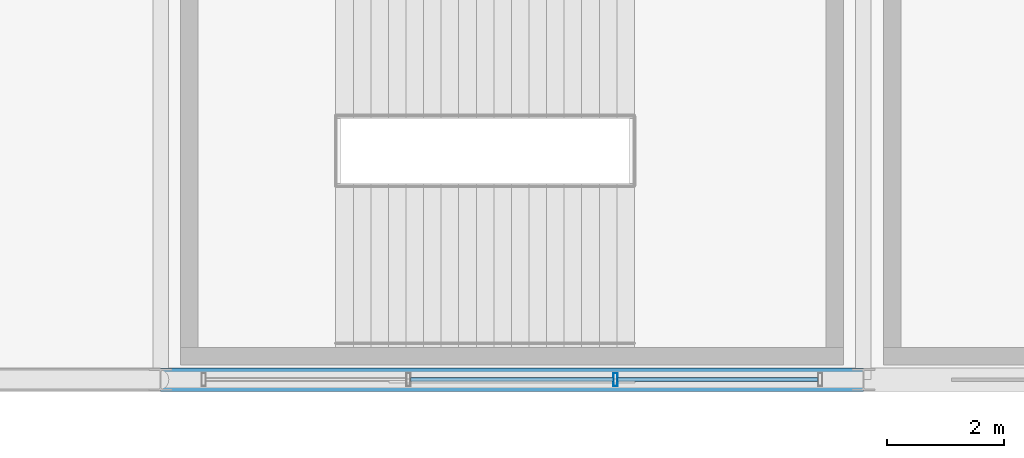
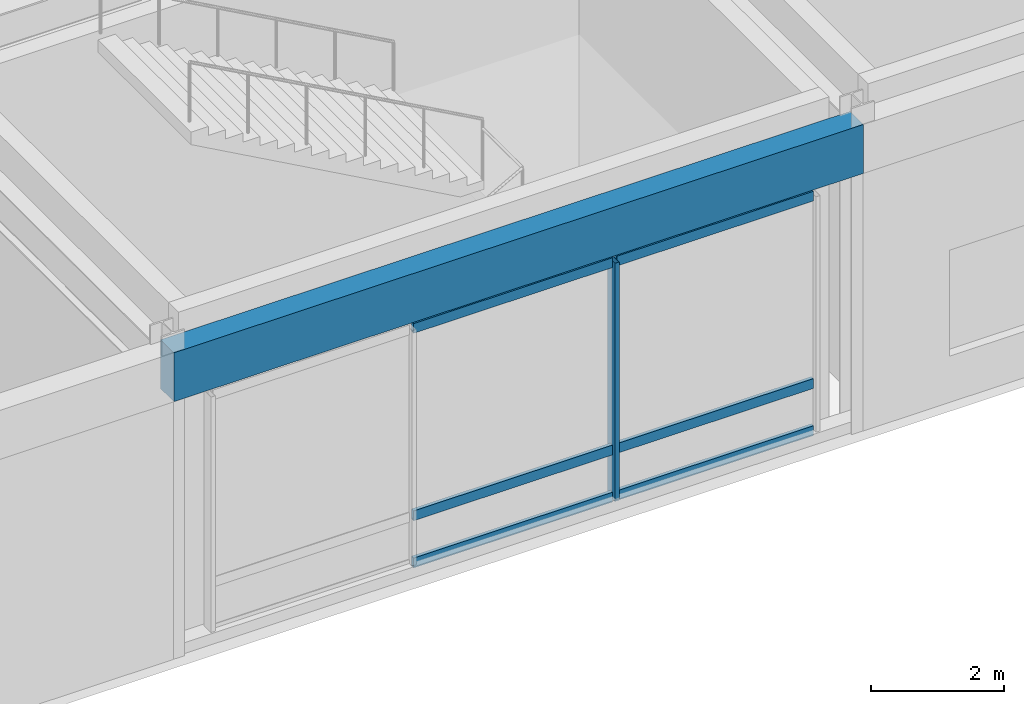
# One storey, part 34 of 108: 7 members, 1 beam, 1 element without a shape of its own.
"""IFC4 building model written with IfcOpenShell, lengths in metres."""

import ifcopenshell
import ifcopenshell.guid

model = None  # the IFC model being written
_history = None  # IfcOwnerHistory: only IFC2X3 demands one
_inside = {}  # id of a spatial element -> (the spatial element, [elements in it])
_under = {}  # id of a project, library or spatial element -> (it, [spatial elements below it])
_declared = {}  # id of a project -> (the project, [libraries it declares])
_typed = {}  # id of a type object -> (the type object, [elements of that type])
_made_of = {}  # id of a material, layer set ... -> (it, [elements and type objects made of it])


def new_model(schema):
    """Start an empty IFC model of exactly this schema.

    Asked for "IFC4X3", IfcOpenShell would pick the latest addendum, in which some entities
    have other attributes; the version numbers below select the first issue.
    IFC2X3 requires an IfcOwnerHistory on every rooted entity: one is made here for all.
    """
    global model, _history
    if schema == "IFC4X3":
        model = ifcopenshell.file(schema_version=(4, 3, 0, 0))
    else:
        model = ifcopenshell.file(schema=schema)
    _inside.clear()
    _under.clear()
    _declared.clear()
    _typed.clear()
    _made_of.clear()
    _history = None
    if model.schema == "IFC2X3":
        org = make("IfcOrganization", Name="unknown")
        user = make(
            "IfcPersonAndOrganization",
            ThePerson=make("IfcPerson", FamilyName="unknown"),
            TheOrganization=org,
        )
        app = make(
            "IfcApplication",
            ApplicationDeveloper=org,
            Version="unknown",
            ApplicationFullName="unknown",
            ApplicationIdentifier="unknown",
        )
        _history = make(
            "IfcOwnerHistory",
            OwningUser=user,
            OwningApplication=app,
            ChangeAction="ADDED",
            CreationDate=0,
        )
    return model


def make(cls, **values):
    """One entity of the class cls with the attributes given. An attribute that is None is left unset."""
    return model.create_entity(
        cls, **{name: value for name, value in values.items() if value is not None}
    )


def rooted(cls, **values):
    """An entity with a GlobalId (a new one), such as an element, a storey or a relation."""
    return make(cls, GlobalId=ifcopenshell.guid.new(), OwnerHistory=_history, **values)


def si_unit(unit_type, name, prefix=None):
    """IfcSIUnit, for example si_unit("LENGTHUNIT", "METRE", prefix="MILLI")."""
    return make("IfcSIUnit", UnitType=unit_type, Prefix=prefix, Name=name)


def assignment(units):
    """IfcUnitAssignment: the units of a project."""
    return None if units is None else make("IfcUnitAssignment", Units=units)


def point(xyz):
    """IfcCartesianPoint."""
    return None if xyz is None else make("IfcCartesianPoint", Coordinates=xyz)


def direction(xyz):
    """IfcDirection."""
    return None if xyz is None else make("IfcDirection", DirectionRatios=xyz)


def frame(location, z_axis=None, x_axis=None):
    """IfcAxis2Placement3D, a coordinate frame: its origin and axes. An axis left out is left unset."""
    return make(
        "IfcAxis2Placement3D",
        Location=point(location),
        Axis=direction(z_axis),
        RefDirection=direction(x_axis),
    )


def frame_2d(location, x_axis=None):
    """IfcAxis2Placement2D, a coordinate frame in the plane: its origin and x axis."""
    return make(
        "IfcAxis2Placement2D", Location=point(location), RefDirection=direction(x_axis)
    )


def origin():
    """The frame at (0, 0, 0) with its axes left unset."""
    return frame((0.0, 0.0, 0.0))


def origin_2d():
    """The frame at (0, 0) in the plane with its x axis left unset."""
    return frame_2d((0.0, 0.0))


def place(relative_to, where):
    """IfcLocalPlacement: puts the frame where relative to a parent placement (None: the world)."""
    return make(
        "IfcLocalPlacement", PlacementRelTo=relative_to, RelativePlacement=where
    )


def context(
    kind, dimensions, precision=None, world=None, true_north=None, identifier=None
):
    """IfcGeometricRepresentationContext, for example the 3D "Model" context."""
    return make(
        "IfcGeometricRepresentationContext",
        ContextIdentifier=identifier,
        ContextType=kind,
        CoordinateSpaceDimension=dimensions,
        Precision=precision,
        WorldCoordinateSystem=world,
        TrueNorth=true_north,
    )


def subcontext(parent, identifier, kind, view, scale=None):
    """IfcGeometricRepresentationSubContext, for example "Body" below "Model"."""
    return make(
        "IfcGeometricRepresentationSubContext",
        ContextIdentifier=identifier,
        ContextType=kind,
        ParentContext=parent,
        TargetScale=scale,
        TargetView=view,
    )


def project(units=None, contexts=None):
    """IfcProject with its units and contexts."""
    return rooted(
        "IfcProject",
        Name="project",
        RepresentationContexts=contexts,
        UnitsInContext=assignment(units),
    )


def spatial(cls, under=None, at=None, **own):
    """A site, building, storey or space (cls), placed at a placement, below another one or the project."""
    s = rooted(cls, ObjectPlacement=at, **own)
    if under is not None:
        _under.setdefault(under.id(), (under, []))[1].append(s)
    return s


def profile(cls, at=None, kind="AREA", **sizes):
    """A parametric profile (cls). Its sizes go by their IFC names, for example OverallWidth=200.0."""
    return make(cls, ProfileType=kind, Position=at, **sizes)


def rectangle(**sizes):
    """IfcRectangleProfileDef."""
    return profile("IfcRectangleProfileDef", **sizes)


def hollow_rectangle(**sizes):
    """IfcRectangleHollowProfileDef."""
    return profile("IfcRectangleHollowProfileDef", **sizes)


def extrude(swept, where, along, depth):
    """IfcExtrudedAreaSolid: the profile swept, set in the frame where, extruded along a direction by depth."""
    return make(
        "IfcExtrudedAreaSolid",
        SweptArea=swept,
        Position=where,
        ExtrudedDirection=direction(along),
        Depth=depth,
    )


def shape(context_of_items, identifier, shape_type, items):
    """IfcShapeRepresentation: the items that make up one representation, for example the "Body"."""
    return make(
        "IfcShapeRepresentation",
        ContextOfItems=context_of_items,
        RepresentationIdentifier=identifier,
        RepresentationType=shape_type,
        Items=items,
    )


def material(Name=None, Category=None):
    """IfcMaterial."""
    return make("IfcMaterial", Name=Name, Category=Category)


def material_profile(
    of_material, cross_section, Name=None, Category=None, Priority=None
):
    """IfcMaterialProfile: a cross section and its material."""
    return make(
        "IfcMaterialProfile",
        Name=Name,
        Material=of_material,
        Profile=cross_section,
        Priority=Priority,
        Category=Category,
    )


def profile_set(profiles, Name=None, composite=None):
    """IfcMaterialProfileSet."""
    return make(
        "IfcMaterialProfileSet",
        Name=Name,
        MaterialProfiles=profiles,
        CompositeProfile=composite,
    )


def made_of(thing, what):
    """Note that an element or type object is made of a material, layer set ...; save() writes the relation."""
    if what is not None:
        _made_of.setdefault(what.id(), (what, []))[1].append(thing)
    return thing


def type_object(cls, material=None, **own):
    """A type object (cls), such as IfcWallType, which elements share."""
    return made_of(rooted(cls, **own), material)


def element(
    cls,
    number,
    at=None,
    inside=None,
    cuts=None,
    type_object=None,
    material=None,
    context=None,
    identifier="Body",
    shape_type=None,
    held_by="IfcProductDefinitionShape",
    body=None,
    shapes=None,
    **own,
):
    """One element of the class cls, such as IfcWall. Its Tag is "e" and its number.

    at: its placement. inside: the storey or other place that contains it. cuts: it is an
    opening in that element (IfcRelVoidsElement). A single representation is given by context,
    identifier, shape_type and body (its items); several are given by shapes. held_by: the class
    of the entity that holds the representations. save() writes the other relations.
    """
    e = rooted(cls, Tag="e%d" % number, ObjectPlacement=at, **own)
    if body is not None:
        shapes = [shape(context, identifier, shape_type, body)]
    if shapes is not None:
        e.Representation = make(held_by, Representations=shapes)
    if inside is not None:
        _inside.setdefault(inside.id(), (inside, []))[1].append(e)
    if cuts is not None:
        rooted(
            "IfcRelVoidsElement", RelatingBuildingElement=cuts, RelatedOpeningElement=e
        )
    if type_object is not None:
        _typed.setdefault(type_object.id(), (type_object, []))[1].append(e)
    return made_of(e, material)


def aggregate(whole, parts):
    """IfcRelAggregates: a whole, such as a stair, and the parts it consists of."""
    return rooted("IfcRelAggregates", RelatingObject=whole, RelatedObjects=parts)


def save(model, path):
    """Write the relations noted so far, then the file.

    IfcRelAggregates (storeys below a building ...), IfcRelContainedInSpatialStructure (elements
    in a storey), IfcRelDefinesByType, IfcRelAssociatesMaterial and IfcRelDeclares: one each for
    every whole, place, type object, material and project.
    """
    for whole, parts in _under.values():
        aggregate(whole, parts)
    for where, things in _inside.values():
        rooted(
            "IfcRelContainedInSpatialStructure",
            RelatedElements=things,
            RelatingStructure=where,
        )
    for kind, things in _typed.values():
        rooted("IfcRelDefinesByType", RelatedObjects=things, RelatingType=kind)
    for what, things in _made_of.values():
        rooted("IfcRelAssociatesMaterial", RelatedObjects=things, RelatingMaterial=what)
    for by, libraries in _declared.values():
        rooted("IfcRelDeclares", RelatingContext=by, RelatedDefinitions=libraries)
    model.write(path)


model = new_model("IFC4")

# Units and contexts
model_context = context("Model", 3, precision=1e-05, world=origin(), true_north=direction((0.0, 1.0)))
body_context = subcontext(model_context, "Body", "Model", "MODEL_VIEW")
ifc_project = project(units=[si_unit("LENGTHUNIT", "METRE"), si_unit("AREAUNIT", "SQUARE_METRE"), si_unit("VOLUMEUNIT", "CUBIC_METRE"), si_unit("PLANEANGLEUNIT", "RADIAN"), si_unit("MASSUNIT", "GRAM", prefix="KILO")], contexts=[model_context])

# Site, building, storey
site_placement = place(None, origin())
site = spatial("IfcSite", under=ifc_project, at=site_placement, CompositionType="ELEMENT")
building_placement = place(site_placement, origin())
building = spatial("IfcBuilding", under=site, at=building_placement, Name="Kaldorvane Square Convention Centre", CompositionType="ELEMENT")
storey_placement = place(building_placement, frame((0.0, 0.0, 12.0)))
storey = spatial("IfcBuildingStorey", under=building, at=storey_placement, Name="L02", CompositionType="ELEMENT", Elevation=12.0)

# Beam
ifc_material_1 = material(Name="Concrete f'c = 42 MPa (Normalweight)", Category="concrete")
ifc_material_profile_1 = material_profile(ifc_material_1, rectangle(XDim=0.399993896484375, YDim=0.899993896484375, at=origin_2d()), Name="RCSP900X400")
ifc_profile_set_1 = profile_set([ifc_material_profile_1], Name="Concrete f'c = 42 MPa (Normalweight)")
beam_type = type_object("IfcBeamType", Name="BM-SP-RC900", PredefinedType="SPANDREL", material=ifc_profile_set_1)
beam_placement = place(storey_placement, frame((102.0, 0.0, 5.1959991455078125), z_axis=(1.0, 0.0, 0.0), x_axis=(0.0, 1.0, 0.0)))
element("IfcBeam", 1, at=beam_placement, inside=storey, type_object=beam_type, Name="Perimeter Spandrel (L02)", PredefinedType="SPANDREL", context=body_context, shape_type="SweptSolid", body=[
    extrude(rectangle(XDim=0.399993896484375, YDim=0.899993896484375, at=origin_2d()), origin(), (0.0, 0.0, 1.0), 12.0),
])

# Curtain wall, members
ifc_material_2 = material(Name="Anodized Aluminum and Low-E Insulated Glazing", Category="aluminium")
curtain_wall_type = type_object("IfcCurtainWallType", Name="CW-UNI-P60-12", PredefinedType="USERDEFINED", material=ifc_material_2)
curtain_wall_placement = place(storey_placement, origin())
curtain_wall = element("IfcCurtainWall", 2, at=curtain_wall_placement, inside=storey, type_object=curtain_wall_type, Name="Curtain Wall CW-01 (L02)", ObjectType="UNITISED GLAZING", PredefinedType="USERDEFINED")
ifc_material_profile_2 = material_profile(ifc_material_2, hollow_rectangle(XDim=0.0749969482421875, YDim=0.220001220703125, WallThickness=0.003997802734375, at=origin_2d()), Name="CWM-220X75")
ifc_profile_set_2 = profile_set([ifc_material_profile_2], Name="Anodized Aluminum and Low-E Insulated Glazing")
member_type_1 = type_object("IfcMemberType", Name="CW-MUL-220", PredefinedType="MULLION", material=ifc_profile_set_2)
member_1_placement = place(storey_placement, frame((109.76666259765625, 0.0, 0.149993896484375), z_axis=(0.0, 0.0, 1.0), x_axis=(1.0, 0.0, 0.0)))
member_1 = element("IfcMember", 3, at=member_1_placement, type_object=member_type_1, Name="CW-01 mullion 3", PredefinedType="MULLION", context=body_context, shape_type="SweptSolid", body=[
    extrude(hollow_rectangle(XDim=0.0749969482421875, YDim=0.220001220703125, WallThickness=0.003997802734375, at=origin_2d()), origin(), (0.0, 0.0, 1.0), 4.3800048828125),
])
ifc_material_profile_3 = material_profile(ifc_material_2, hollow_rectangle(XDim=0.06500244140625, YDim=0.17999267578125, WallThickness=0.0034942626953125, at=origin_2d()), Name="CWT-180X65")
ifc_profile_set_3 = profile_set([ifc_material_profile_3], Name="Anodized Aluminum and Low-E Insulated Glazing")
member_type_2 = type_object("IfcMemberType", Name="CW-TRN-180", PredefinedType="USERDEFINED", material=ifc_profile_set_3)
member_2_placement = place(storey_placement, frame((106.27082824707031, 0.0, 0.1824951171875), z_axis=(1.0, 0.0, 0.0), x_axis=(0.0, 1.0, 0.0)))
member_2 = element("IfcMember", 4, at=member_2_placement, type_object=member_type_2, Name="CW-01 transom 2.1", ObjectType="TRANSOM", PredefinedType="USERDEFINED", context=body_context, shape_type="SweptSolid", body=[
    extrude(hollow_rectangle(XDim=0.06500244140625, YDim=0.17999267578125, WallThickness=0.0034942626953125, at=origin_2d()), origin(), (0.0, 0.0, 1.0), 3.458343505859375),
])
member_3_placement = place(storey_placement, frame((106.27082824707031, 0.0, 1.0500030517578125), z_axis=(1.0, 0.0, 0.0), x_axis=(0.0, 1.0, 0.0)))
member_3 = element("IfcMember", 5, at=member_3_placement, type_object=member_type_2, Name="CW-01 transom 2.2", ObjectType="TRANSOM", PredefinedType="USERDEFINED", context=body_context, shape_type="SweptSolid", body=[
    extrude(hollow_rectangle(XDim=0.06500244140625, YDim=0.17999267578125, WallThickness=0.0034942626953125, at=origin_2d()), origin(), (0.0, 0.0, 1.0), 3.458343505859375),
])
member_4_placement = place(storey_placement, frame((106.27082824707031, 0.0, 4.49749755859375), z_axis=(1.0, 0.0, 0.0), x_axis=(0.0, 1.0, 0.0)))
member_4 = element("IfcMember", 6, at=member_4_placement, type_object=member_type_2, Name="CW-01 transom 2.3", ObjectType="TRANSOM", PredefinedType="USERDEFINED", context=body_context, shape_type="SweptSolid", body=[
    extrude(hollow_rectangle(XDim=0.06500244140625, YDim=0.17999267578125, WallThickness=0.0034942626953125, at=origin_2d()), origin(), (0.0, 0.0, 1.0), 3.458343505859375),
])
member_5_placement = place(storey_placement, frame((109.80416870117188, 0.0, 0.1824951171875), z_axis=(1.0, 0.0, 0.0), x_axis=(0.0, 1.0, 0.0)))
member_5 = element("IfcMember", 7, at=member_5_placement, type_object=member_type_2, Name="CW-01 transom 3.1", ObjectType="TRANSOM", PredefinedType="USERDEFINED", context=body_context, shape_type="SweptSolid", body=[
    extrude(hollow_rectangle(XDim=0.06500244140625, YDim=0.17999267578125, WallThickness=0.0034942626953125, at=origin_2d()), origin(), (0.0, 0.0, 1.0), 3.42083740234375),
])
member_6_placement = place(storey_placement, frame((109.80416870117188, 0.0, 1.0500030517578125), z_axis=(1.0, 0.0, 0.0), x_axis=(0.0, 1.0, 0.0)))
member_6 = element("IfcMember", 8, at=member_6_placement, type_object=member_type_2, Name="CW-01 transom 3.2", ObjectType="TRANSOM", PredefinedType="USERDEFINED", context=body_context, shape_type="SweptSolid", body=[
    extrude(hollow_rectangle(XDim=0.06500244140625, YDim=0.17999267578125, WallThickness=0.0034942626953125, at=origin_2d()), origin(), (0.0, 0.0, 1.0), 3.42083740234375),
])
member_7_placement = place(storey_placement, frame((109.80416870117188, 0.0, 4.49749755859375), z_axis=(1.0, 0.0, 0.0), x_axis=(0.0, 1.0, 0.0)))
member_7 = element("IfcMember", 9, at=member_7_placement, type_object=member_type_2, Name="CW-01 transom 3.3", ObjectType="TRANSOM", PredefinedType="USERDEFINED", context=body_context, shape_type="SweptSolid", body=[
    extrude(hollow_rectangle(XDim=0.06500244140625, YDim=0.17999267578125, WallThickness=0.0034942626953125, at=origin_2d()), origin(), (0.0, 0.0, 1.0), 3.42083740234375),
])
aggregate(curtain_wall, [member_1, member_2, member_3, member_4, member_5, member_6, member_7])

save(model, "model.ifc")
